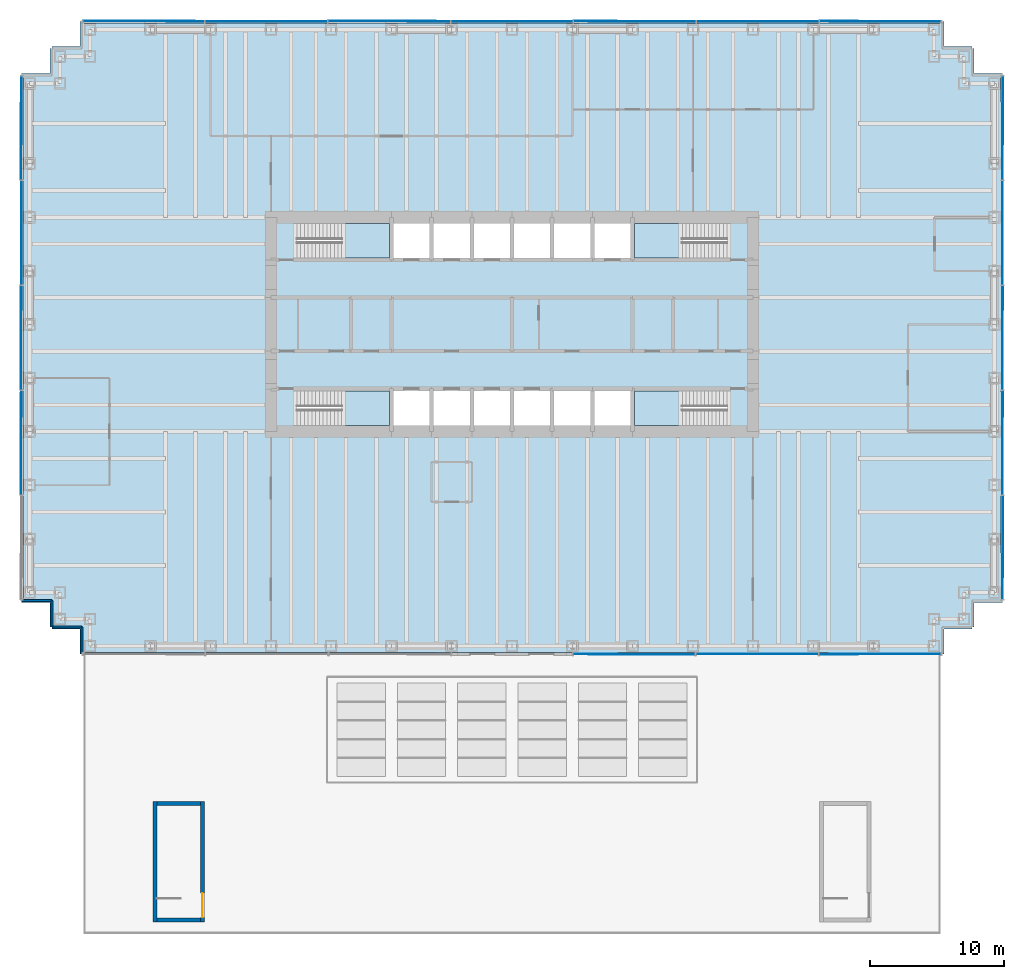
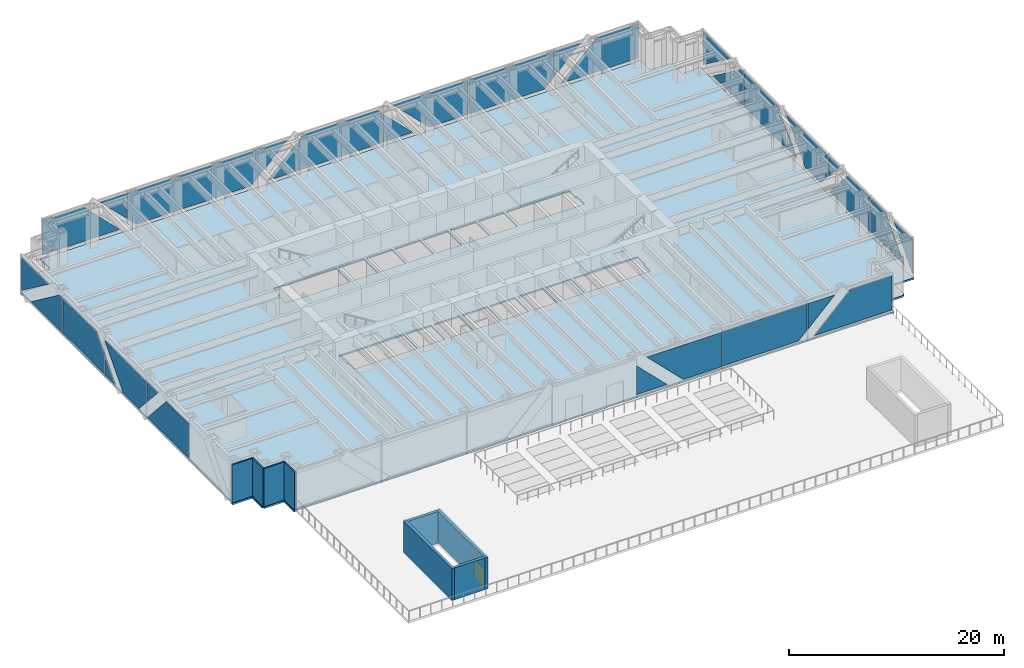
# One storey, part 10 of 15: 32 plates, 8 walls, 5 slabs, 1 door, 1 opening, 8 elements without a shape of their own.
"""IFC4 building model written with IfcOpenShell, lengths in metres."""

from ifc_helpers import new_model, si_unit, direction, frame, frame_2d, origin, place, context, subcontext, project, spatial, polyline, rectangle, outline, extrude, material, layer, layer_set, type_object, element, fill, aggregate, save


model = new_model("IFC4")

# Units and contexts
model_context = context("Model", 3, precision=1e-05, world=origin(), true_north=direction((0.0, 1.0)))
body_context = subcontext(model_context, "Body", "Model", "MODEL_VIEW")
ifc_project = project(units=[si_unit("LENGTHUNIT", "METRE"), si_unit("AREAUNIT", "SQUARE_METRE"), si_unit("VOLUMEUNIT", "CUBIC_METRE"), si_unit("PLANEANGLEUNIT", "RADIAN"), si_unit("MASSUNIT", "GRAM", prefix="KILO")], contexts=[model_context])

# Site, building, storey
site_placement = place(None, origin())
site = spatial("IfcSite", under=ifc_project, at=site_placement, CompositionType="ELEMENT")
building_placement = place(site_placement, origin())
building = spatial("IfcBuilding", under=site, at=building_placement, Name="Rheinbord Bourse Tower", CompositionType="ELEMENT")
storey_placement = place(building_placement, frame((0.0, 0.0, 23.0)))
storey = spatial("IfcBuildingStorey", under=building, at=storey_placement, Name="L04", CompositionType="ELEMENT", Elevation=23.0)

# Slab
ifc_material_1 = material(Name="Concrete C30/37", Category="concrete")
ifc_layer_1 = layer(ifc_material_1, 0.179931640625)
ifc_layer_set_1 = layer_set([ifc_layer_1], Name="COMPOSITE FLOOR SLAB 180")
slab_type_1 = type_object("IfcSlabType", Name="COMPOSITE FLOOR SLAB 180", PredefinedType="FLOOR", material=ifc_layer_set_1)
slab_1_placement = place(storey_placement, frame((0.0, 0.0, -0.179931640625)))
element("IfcSlab", 1, at=slab_1_placement, inside=storey, type_object=slab_type_1, Name="Floor slab L04", PredefinedType="FLOOR", context=body_context, shape_type="SweptSolid", body=[
    extrude(outline(polyline([(1.64990234375, 1.39990234375), (1.5, 1.39990234375), (1.5, 3.25), (-0.60009765625, 3.25), (-0.60009765625, 3.550048828125), (-0.5, 3.550048828125), (-0.5, 42.449951171875), (-0.60009765625, 42.449951171875), (-0.60009765625, 42.75), (1.5, 42.75), (1.5, 44.60009765625), (1.64990234375, 44.60009765625), (1.64990234375, 44.75), (3.75, 44.75), (3.75, 46.60009765625), (4.050048828125, 46.60009765625), (4.050048828125, 46.5), (67.949951171875, 46.5), (67.949951171875, 46.60009765625), (68.25, 46.60009765625), (68.25, 44.75), (70.35009765625, 44.75), (70.35009765625, 44.60009765625), (70.5, 44.60009765625), (70.5, 42.75), (72.60009765625, 42.75), (72.60009765625, 42.449951171875), (72.5, 42.449951171875), (72.5, 3.550048828125), (72.60009765625, 3.550048828125), (72.60009765625, 3.25), (70.5, 3.25), (70.5, 1.39990234375), (70.35009765625, 1.39990234375), (70.35009765625, 1.25), (68.25, 1.25), (68.25, -0.60009765625), (67.949951171875, -0.60009765625), (67.949951171875, -0.5), (4.050048828125, -0.5), (4.050048828125, -0.60009765625), (3.75, -0.60009765625), (3.75, 1.25), (1.64990234375, 1.25), (1.64990234375, 1.39990234375)]), holes=[polyline([(19.949951171875, 19.050048828125), (26.85009765625, 19.050048828125), (26.85009765625, 16.449951171875), (20.10009765625, 16.449951171875), (20.10009765625, 17.64990234375), (19.949951171875, 17.64990234375), (19.949951171875, 19.050048828125)]), polyline([(26.85009765625, 31.550048828125), (26.85009765625, 28.949951171875), (19.949951171875, 28.949951171875), (19.949951171875, 30.35009765625), (20.10009765625, 30.35009765625), (20.10009765625, 31.550048828125), (26.85009765625, 31.550048828125)]), polyline([(45.14990234375, 16.449951171875), (45.14990234375, 19.050048828125), (52.050048828125, 19.050048828125), (52.050048828125, 17.64990234375), (51.89990234375, 17.64990234375), (51.89990234375, 16.449951171875), (45.14990234375, 16.449951171875)]), polyline([(52.050048828125, 28.949951171875), (45.14990234375, 28.949951171875), (45.14990234375, 31.550048828125), (51.89990234375, 31.550048828125), (51.89990234375, 30.35009765625), (52.050048828125, 30.35009765625), (52.050048828125, 28.949951171875)]), polyline([(27.14990234375, 16.449951171875), (27.14990234375, 19.050048828125), (29.85009765625, 19.050048828125), (29.85009765625, 16.449951171875), (27.14990234375, 16.449951171875)]), polyline([(27.14990234375, 28.949951171875), (27.14990234375, 31.550048828125), (29.85009765625, 31.550048828125), (29.85009765625, 28.949951171875), (27.14990234375, 28.949951171875)]), polyline([(30.14990234375, 16.449951171875), (30.14990234375, 19.050048828125), (32.85009765625, 19.050048828125), (32.85009765625, 16.449951171875), (30.14990234375, 16.449951171875)]), polyline([(30.14990234375, 28.949951171875), (30.14990234375, 31.550048828125), (32.85009765625, 31.550048828125), (32.85009765625, 28.949951171875), (30.14990234375, 28.949951171875)]), polyline([(33.14990234375, 16.449951171875), (33.14990234375, 19.050048828125), (35.85009765625, 19.050048828125), (35.85009765625, 16.449951171875), (33.14990234375, 16.449951171875)]), polyline([(33.14990234375, 28.949951171875), (33.14990234375, 31.550048828125), (35.85009765625, 31.550048828125), (35.85009765625, 28.949951171875), (33.14990234375, 28.949951171875)]), polyline([(36.14990234375, 16.449951171875), (36.14990234375, 19.050048828125), (38.85009765625, 19.050048828125), (38.85009765625, 16.449951171875), (36.14990234375, 16.449951171875)]), polyline([(36.14990234375, 28.949951171875), (36.14990234375, 31.550048828125), (38.85009765625, 31.550048828125), (38.85009765625, 28.949951171875), (36.14990234375, 28.949951171875)]), polyline([(39.14990234375, 16.449951171875), (39.14990234375, 19.050048828125), (41.85009765625, 19.050048828125), (41.85009765625, 16.449951171875), (39.14990234375, 16.449951171875)]), polyline([(39.14990234375, 28.949951171875), (39.14990234375, 31.550048828125), (41.85009765625, 31.550048828125), (41.85009765625, 28.949951171875), (39.14990234375, 28.949951171875)]), polyline([(42.14990234375, 16.449951171875), (42.14990234375, 19.050048828125), (44.85009765625, 19.050048828125), (44.85009765625, 16.449951171875), (42.14990234375, 16.449951171875)]), polyline([(42.14990234375, 28.949951171875), (42.14990234375, 31.550048828125), (44.85009765625, 31.550048828125), (44.85009765625, 28.949951171875), (42.14990234375, 28.949951171875)])]), origin(), (0.0, 0.0, 1.0), 0.179931640625),
])

# Curtain wall, plates
ifc_material_2 = material(Name="Dark glass and black aluminium", Category="aluminium")
curtain_wall_type = type_object("IfcCurtainWallType", Name="CW1 DARK GLASS CURTAIN WALL", PredefinedType="USERDEFINED", material=ifc_material_2)
curtain_wall_1_placement = place(storey_placement, origin())
curtain_wall_1 = element("IfcCurtainWall", 2, at=curtain_wall_1_placement, inside=storey, type_object=curtain_wall_type, Name="Curtain wall CW1 S L04", ObjectType="UNITISED CURTAIN WALL", PredefinedType="USERDEFINED")
ifc_material_3 = material(Name="Dark tinted triple insulating glass", Category="glass")
ifc_layer_2 = layer(ifc_material_3, 0.0439453125)
ifc_layer_set_2 = layer_set([ifc_layer_2], Name="CW1 DARK GLASS PANEL")
plate_type = type_object("IfcPlateType", Name="CW1 DARK GLASS PANEL", PredefinedType="CURTAIN_PANEL", material=ifc_layer_set_2)
plate_1_placement = place(storey_placement, frame((40.580078125, -0.6220703125, 0.300048828125), z_axis=(0.0, 1.0, 0.0), x_axis=(0.0, 0.0, 1.0)))
plate_1 = element("IfcPlate", 3, at=plate_1_placement, type_object=plate_type, Name="CW1 glass facet 1", PredefinedType="CURTAIN_PANEL", context=body_context, shape_type="SweptSolid", body=[
    extrude(outline(polyline([(0.0, 0.0), (3.263916015625, 0.0), (0.0, 3.263916015625), (0.0, 0.0)])), origin(), (0.0, 0.0, 1.0), 0.0439453125),
])
plate_2_placement = place(storey_placement, frame((49.659912109375, -0.6708984375, 4.199951171875), z_axis=(0.0, 1.0, 0.0), x_axis=(0.0, 0.0, -1.0)))
plate_2 = element("IfcPlate", 4, at=plate_2_placement, type_object=plate_type, Name="CW1 glass facet 2", PredefinedType="CURTAIN_PANEL", context=body_context, shape_type="SweptSolid", body=[
    extrude(outline(polyline([(0.0, 0.0), (3.89990234375, 0.0), (3.89990234375, 4.10400390625), (0.0, 8.00390625), (0.0, 0.0)])), origin(), (0.0, 0.0, 1.0), 0.0439453125),
])
plate_3_placement = place(storey_placement, frame((49.739990234375, -0.6220703125, 0.300048828125), z_axis=(0.0, 1.0, 0.0), x_axis=(0.0, 0.0, 1.0)))
plate_3 = element("IfcPlate", 5, at=plate_3_placement, type_object=plate_type, Name="CW1 glass facet 1", PredefinedType="CURTAIN_PANEL", context=body_context, shape_type="SweptSolid", body=[
    extrude(outline(polyline([(0.0, 0.0), (3.89990234375, 0.0), (3.89990234375, 9.1201171875), (0.916015625, 9.1201171875), (0.0, 8.2041015625), (0.0, 0.0)])), origin(), (0.0, 0.0, 1.0), 0.0439453125),
])
plate_4_placement = place(storey_placement, frame((58.93994140625, -0.6708984375, 4.199951171875), z_axis=(0.0, 1.0, 0.0), x_axis=(1.0, 0.0, 0.0)))
plate_4 = element("IfcPlate", 6, at=plate_4_placement, type_object=plate_type, Name="CW1 glass facet 1", PredefinedType="CURTAIN_PANEL", context=body_context, shape_type="SweptSolid", body=[
    extrude(outline(polyline([(0.0, 0.0), (2.904052734375, 0.0), (0.0, 2.904052734375), (0.0, 0.0)])), origin(), (0.0, 0.0, 1.0), 0.0439453125),
])
plate_5_placement = place(storey_placement, frame((68.02001953125, -0.6220703125, 4.199951171875), z_axis=(0.0, 1.0, 0.0), x_axis=(0.0, 0.0, -1.0)))
plate_5 = element("IfcPlate", 7, at=plate_5_placement, type_object=plate_type, Name="CW1 glass facet 2", PredefinedType="CURTAIN_PANEL", context=body_context, shape_type="SweptSolid", body=[
    extrude(outline(polyline([(0.0, 0.0), (3.89990234375, 0.0), (3.89990234375, 8.364013671875), (0.0, 4.464111328125), (0.0, 0.0)])), origin(), (0.0, 0.0, 1.0), 0.0439453125),
])
aggregate(curtain_wall_1, [plate_1, plate_2, plate_3, plate_4, plate_5])

curtain_wall_2_placement = place(storey_placement, origin())
curtain_wall_2 = element("IfcCurtainWall", 8, at=curtain_wall_2_placement, inside=storey, type_object=curtain_wall_type, Name="Curtain wall CW1 E L04", ObjectType="UNITISED CURTAIN WALL", PredefinedType="USERDEFINED")
plate_6_placement = place(storey_placement, frame((72.6220703125, 3.47998046875, 4.199951171875), z_axis=(-1.0, 0.0, 0.0), x_axis=(0.0, 1.0, 0.0)))
plate_6 = element("IfcPlate", 9, at=plate_6_placement, type_object=plate_type, Name="CW1 glass facet 1", PredefinedType="CURTAIN_PANEL", context=body_context, shape_type="SweptSolid", body=[
    extrude(outline(polyline([(0.0, 0.0), (3.444091796875, 0.0), (0.0, 3.8740234375), (0.0, 0.0)])), origin(), (0.0, 0.0, 1.0), 0.0439453125),
])
plate_7_placement = place(storey_placement, frame((72.6708984375, 11.199951171875, 4.199951171875), z_axis=(-1.0, 0.0, 0.0), x_axis=(0.0, 0.0, -1.0)))
plate_7 = element("IfcPlate", 10, at=plate_7_placement, type_object=plate_type, Name="CW1 glass facet 2", PredefinedType="CURTAIN_PANEL", context=body_context, shape_type="SweptSolid", body=[
    extrude(outline(polyline([(0.0, 0.0), (3.89990234375, 0.0), (3.89990234375, 6.1240234375), (0.0, 2.656982421875), (0.0, 0.0)])), origin(), (0.0, 0.0, 1.0), 0.0439453125),
])
plate_8_placement = place(storey_placement, frame((72.6220703125, 11.280029296875, 0.300048828125), z_axis=(-1.0, 0.0, 0.0), x_axis=(0.0, 0.0, 1.0)))
plate_8 = element("IfcPlate", 11, at=plate_8_placement, type_object=plate_type, Name="CW1 glass facet 1", PredefinedType="CURTAIN_PANEL", context=body_context, shape_type="SweptSolid", body=[
    extrude(outline(polyline([(0.0, 0.0), (3.89990234375, 0.0), (3.89990234375, 4.177001953125), (0.0, 7.64404296875), (0.0, 0.0)])), origin(), (0.0, 0.0, 1.0), 0.0439453125),
])
plate_9_placement = place(storey_placement, frame((72.6708984375, 19.0400390625, 4.199951171875), z_axis=(-1.0, 0.0, 0.0), x_axis=(0.0, 0.0, -1.0)))
plate_9 = element("IfcPlate", 12, at=plate_9_placement, type_object=plate_type, Name="CW1 glass facet 2", PredefinedType="CURTAIN_PANEL", context=body_context, shape_type="SweptSolid", body=[
    extrude(outline(polyline([(0.0, 0.0), (2.208984375, 0.0), (0.0, 1.964111328125), (0.0, 0.0)])), origin(), (0.0, 0.0, 1.0), 0.0439453125),
])
plate_10_placement = place(storey_placement, frame((72.6220703125, 20.54296875, 0.300048828125), z_axis=(-1.0, 0.0, 0.0), x_axis=(0.0, -0.664335537311, 0.74743447463)))
plate_10 = element("IfcPlate", 13, at=plate_10_placement, type_object=plate_type, Name="CW1 glass facet 1", PredefinedType="CURTAIN_PANEL", context=body_context, shape_type="SweptSolid", body=[
    extrude(outline(polyline([(0.0, 0.0), (2.141845703125, 0.0), (3.860107421875, 1.52734375), (-1.294921875, 7.327392578125), (-1.33154296875, 7.294677734375), (-1.93603515625, 2.177978515625), (0.0, 0.0)])), origin(), (0.0, 0.0, 1.0), 0.0439453125),
])
plate_11_placement = place(storey_placement, frame((72.6708984375, 26.8798828125, 0.300048828125), z_axis=(-1.0, 0.0, 0.0), x_axis=(0.0, -1.0, 0.0)))
plate_11 = element("IfcPlate", 14, at=plate_11_placement, type_object=plate_type, Name="CW1 glass facet 2", PredefinedType="CURTAIN_PANEL", context=body_context, shape_type="SweptSolid", body=[
    extrude(outline(polyline([(0.0, 0.0), (1.803955078125, 0.0), (0.0, 2.029052734375), (0.0, 0.0)])), origin(), (0.0, 0.0, 1.0), 0.0439453125),
])
plate_12_placement = place(storey_placement, frame((72.6220703125, 34.719970703125, 4.199951171875), z_axis=(-1.0, 0.0, 0.0), x_axis=(0.0, 0.0, -1.0)))
plate_12 = element("IfcPlate", 15, at=plate_12_placement, type_object=plate_type, Name="CW1 glass facet 1", PredefinedType="CURTAIN_PANEL", context=body_context, shape_type="SweptSolid", body=[
    extrude(outline(polyline([(0.0, 0.0), (3.89990234375, 0.0), (3.89990234375, 7.760009765625), (1.781005859375, 7.760009765625), (0.0, 6.177001953125), (0.0, 0.0)])), origin(), (0.0, 0.0, 1.0), 0.0439453125),
])
plate_13_placement = place(storey_placement, frame((72.6220703125, 34.800048828125, 0.300048828125), z_axis=(-1.0, 0.0, 0.0), x_axis=(0.0, 0.0, 1.0)))
plate_13 = element("IfcPlate", 16, at=plate_13_placement, type_object=plate_type, Name="CW1 glass facet 1", PredefinedType="CURTAIN_PANEL", context=body_context, shape_type="SweptSolid", body=[
    extrude(outline(polyline([(0.0, 0.0), (3.89990234375, 0.0), (3.89990234375, 0.592041015625), (0.0, 5.7919921875), (0.0, 0.0)])), origin(), (0.0, 0.0, 1.0), 0.0439453125),
])
plate_14_placement = place(storey_placement, frame((72.6708984375, 42.52001953125, 4.199951171875), z_axis=(-1.0, 0.0, 0.0), x_axis=(0.0, 0.0, -1.0)))
plate_14 = element("IfcPlate", 17, at=plate_14_placement, type_object=plate_type, Name="CW1 glass facet 2", PredefinedType="CURTAIN_PANEL", context=body_context, shape_type="SweptSolid", body=[
    extrude(outline(polyline([(0.0, 0.0), (3.833984375, 0.0), (0.0, 5.112060546875), (0.0, 0.0)])), origin(), (0.0, 0.0, 1.0), 0.0439453125),
])
aggregate(curtain_wall_2, [plate_6, plate_7, plate_8, plate_9, plate_10, plate_11, plate_12, plate_13, plate_14])

curtain_wall_3_placement = place(storey_placement, origin())
curtain_wall_3 = element("IfcCurtainWall", 18, at=curtain_wall_3_placement, inside=storey, type_object=curtain_wall_type, Name="Curtain wall CW1 N L04", ObjectType="UNITISED CURTAIN WALL", PredefinedType="USERDEFINED")
plate_15_placement = place(storey_placement, frame((68.02001953125, 46.6220703125, 0.300048828125), z_axis=(0.0, -1.0, 0.0), x_axis=(0.0, 0.0, 1.0)))
plate_15 = element("IfcPlate", 19, at=plate_15_placement, type_object=plate_type, Name="CW1 glass facet 1", PredefinedType="CURTAIN_PANEL", context=body_context, shape_type="SweptSolid", body=[
    extrude(outline(polyline([(0.0, 0.0), (3.89990234375, 0.0), (3.89990234375, 4.464111328125), (0.0, 8.364013671875), (0.0, 0.0)])), origin(), (0.0, 0.0, 1.0), 0.0439453125),
])
plate_16_placement = place(storey_placement, frame((58.968994140625, 46.6708984375, 4.199951171875), z_axis=(0.0, -1.0, 0.0), x_axis=(0.0, 0.0, -1.0)))
plate_16 = element("IfcPlate", 20, at=plate_16_placement, type_object=plate_type, Name="CW1 glass facet 2", PredefinedType="CURTAIN_PANEL", context=body_context, shape_type="SweptSolid", body=[
    extrude(outline(polyline([(0.0, 0.0), (2.8759765625, 0.0), (0.0, 2.875), (0.0, 0.0)])), origin(), (0.0, 0.0, 1.0), 0.0439453125),
])
plate_17_placement = place(storey_placement, frame((58.888916015625, 46.6220703125, 4.199951171875), z_axis=(0.0, -1.0, 0.0), x_axis=(-1.0, 0.0, 0.0)))
plate_17 = element("IfcPlate", 21, at=plate_17_placement, type_object=plate_type, Name="CW1 glass facet 1", PredefinedType="CURTAIN_PANEL", context=body_context, shape_type="SweptSolid", body=[
    extrude(outline(polyline([(0.0, 0.0), (9.091796875, 0.0), (9.091796875, 3.89990234375), (0.94482421875, 3.89990234375), (0.0, 2.9560546875), (0.0, 0.0)])), origin(), (0.0, 0.0, 1.0), 0.0439453125),
])
plate_18_placement = place(storey_placement, frame((49.717041015625, 46.6220703125, 0.300048828125), z_axis=(0.0, -1.0, 0.0), x_axis=(0.0, 0.0, 1.0)))
plate_18 = element("IfcPlate", 22, at=plate_18_placement, type_object=plate_type, Name="CW1 glass facet 1", PredefinedType="CURTAIN_PANEL", context=body_context, shape_type="SweptSolid", body=[
    extrude(outline(polyline([(0.0, 0.0), (3.89990234375, 0.0), (3.89990234375, 8.06103515625), (0.0, 4.1611328125), (0.0, 0.0)])), origin(), (0.0, 0.0, 1.0), 0.0439453125),
])
plate_19_placement = place(storey_placement, frame((40.6259765625, 46.6708984375, 0.300048828125), z_axis=(0.0, -1.0, 0.0), x_axis=(1.0, 0.0, 0.0)))
plate_19 = element("IfcPlate", 23, at=plate_19_placement, type_object=plate_type, Name="CW1 glass facet 2", PredefinedType="CURTAIN_PANEL", context=body_context, shape_type="SweptSolid", body=[
    extrude(outline(polyline([(0.0, 0.0), (3.218017578125, 0.0), (0.0, 3.218994140625), (0.0, 0.0)])), origin(), (0.0, 0.0, 1.0), 0.0439453125),
])
plate_20_placement = place(storey_placement, frame((31.4541015625, 46.6220703125, 0.300048828125), z_axis=(0.0, -1.0, 0.0), x_axis=(1.0, 0.0, 0.0)))
plate_20 = element("IfcPlate", 24, at=plate_20_placement, type_object=plate_type, Name="CW1 glass facet 1", PredefinedType="CURTAIN_PANEL", context=body_context, shape_type="SweptSolid", body=[
    extrude(outline(polyline([(0.0, 0.0), (9.091796875, 0.0), (9.091796875, 3.299072265625), (8.489990234375, 3.89990234375), (0.601806640625, 3.89990234375), (0.0, 3.299072265625), (0.0, 0.0)])), origin(), (0.0, 0.0, 1.0), 0.0439453125),
])
plate_21_placement = place(storey_placement, frame((31.3740234375, 46.6220703125, 0.300048828125), z_axis=(0.0, -1.0, 0.0), x_axis=(0.0, 0.0, 1.0)))
plate_21 = element("IfcPlate", 25, at=plate_21_placement, type_object=plate_type, Name="CW1 glass facet 1", PredefinedType="CURTAIN_PANEL", context=body_context, shape_type="SweptSolid", body=[
    extrude(outline(polyline([(0.0, 0.0), (3.218994140625, 0.0), (0.0, 3.218017578125), (0.0, 0.0)])), origin(), (0.0, 0.0, 1.0), 0.0439453125),
])
plate_22_placement = place(storey_placement, frame((22.282958984375, 46.6708984375, 4.199951171875), z_axis=(0.0, -1.0, 0.0), x_axis=(0.0, 0.0, -1.0)))
plate_22 = element("IfcPlate", 26, at=plate_22_placement, type_object=plate_type, Name="CW1 glass facet 2", PredefinedType="CURTAIN_PANEL", context=body_context, shape_type="SweptSolid", body=[
    extrude(outline(polyline([(0.0, 0.0), (3.89990234375, 0.0), (3.89990234375, 4.1611328125), (0.0, 8.06103515625), (0.0, 0.0)])), origin(), (0.0, 0.0, 1.0), 0.0439453125),
])
plate_23_placement = place(storey_placement, frame((22.202880859375, 46.6220703125, 0.300048828125), z_axis=(0.0, -1.0, 0.0), x_axis=(0.0, 0.0, 1.0)))
plate_23 = element("IfcPlate", 27, at=plate_23_placement, type_object=plate_type, Name="CW1 glass facet 1", PredefinedType="CURTAIN_PANEL", context=body_context, shape_type="SweptSolid", body=[
    extrude(outline(polyline([(0.0, 0.0), (3.89990234375, 0.0), (3.89990234375, 9.091796875), (0.94384765625, 9.091796875), (0.0, 8.14697265625), (0.0, 0.0)])), origin(), (0.0, 0.0, 1.0), 0.0439453125),
])
plate_24_placement = place(storey_placement, frame((13.031005859375, 46.6220703125, 4.199951171875), z_axis=(0.0, -1.0, 0.0), x_axis=(-1.0, 0.0, 0.0)))
plate_24 = element("IfcPlate", 28, at=plate_24_placement, type_object=plate_type, Name="CW1 glass facet 1", PredefinedType="CURTAIN_PANEL", context=body_context, shape_type="SweptSolid", body=[
    extrude(outline(polyline([(0.0, 0.0), (2.875, 0.0), (0.0, 2.8759765625), (0.0, 0.0)])), origin(), (0.0, 0.0, 1.0), 0.0439453125),
])
plate_25_placement = place(storey_placement, frame((3.97998046875, 46.6708984375, 4.199951171875), z_axis=(0.0, -1.0, 0.0), x_axis=(0.0, 0.0, -1.0)))
plate_25 = element("IfcPlate", 29, at=plate_25_placement, type_object=plate_type, Name="CW1 glass facet 2", PredefinedType="CURTAIN_PANEL", context=body_context, shape_type="SweptSolid", body=[
    extrude(outline(polyline([(0.0, 0.0), (3.89990234375, 0.0), (3.89990234375, 8.364013671875), (0.0, 4.464111328125), (0.0, 0.0)])), origin(), (0.0, 0.0, 1.0), 0.0439453125),
])
aggregate(curtain_wall_3, [plate_15, plate_16, plate_17, plate_18, plate_19, plate_20, plate_21, plate_22, plate_23, plate_24, plate_25])

curtain_wall_4_placement = place(storey_placement, origin())
curtain_wall_4 = element("IfcCurtainWall", 30, at=curtain_wall_4_placement, inside=storey, type_object=curtain_wall_type, Name="Curtain wall CW1 W L04", ObjectType="UNITISED CURTAIN WALL", PredefinedType="USERDEFINED")
plate_26_placement = place(storey_placement, frame((-0.6220703125, 42.52001953125, 4.199951171875), z_axis=(1.0, 0.0, 0.0), x_axis=(0.0, -1.0, 0.0)))
plate_26 = element("IfcPlate", 31, at=plate_26_placement, type_object=plate_type, Name="CW1 glass facet 1", PredefinedType="CURTAIN_PANEL", context=body_context, shape_type="SweptSolid", body=[
    extrude(outline(polyline([(0.0, 0.0), (5.112060546875, 0.0), (0.0, 3.833984375), (0.0, 0.0)])), origin(), (0.0, 0.0, 1.0), 0.0439453125),
])
plate_27_placement = place(storey_placement, frame((-0.6708984375, 34.800048828125, 4.199951171875), z_axis=(1.0, 0.0, 0.0), x_axis=(0.0, 0.0, -1.0)))
plate_27 = element("IfcPlate", 32, at=plate_27_placement, type_object=plate_type, Name="CW1 glass facet 2", PredefinedType="CURTAIN_PANEL", context=body_context, shape_type="SweptSolid", body=[
    extrude(outline(polyline([(0.0, 0.0), (3.89990234375, 0.0), (3.89990234375, 5.7919921875), (0.0, 0.592041015625), (0.0, 0.0)])), origin(), (0.0, 0.0, 1.0), 0.0439453125),
])
plate_28_placement = place(storey_placement, frame((-0.6220703125, 26.9599609375, 0.300048828125), z_axis=(1.0, 0.0, 0.0), x_axis=(0.0, 1.0, 0.0)))
plate_28 = element("IfcPlate", 33, at=plate_28_placement, type_object=plate_type, Name="CW1 glass facet 1", PredefinedType="CURTAIN_PANEL", context=body_context, shape_type="SweptSolid", body=[
    extrude(outline(polyline([(0.0, 0.0), (7.760009765625, 0.0), (7.760009765625, 3.89990234375), (1.5830078125, 3.89990234375), (0.0, 2.118896484375), (0.0, 0.0)])), origin(), (0.0, 0.0, 1.0), 0.0439453125),
])
plate_29_placement = place(storey_placement, frame((-0.6220703125, 26.8798828125, 0.300048828125), z_axis=(1.0, 0.0, 0.0), x_axis=(0.0, 0.0, 1.0)))
plate_29 = element("IfcPlate", 34, at=plate_29_placement, type_object=plate_type, Name="CW1 glass facet 1", PredefinedType="CURTAIN_PANEL", context=body_context, shape_type="SweptSolid", body=[
    extrude(outline(polyline([(0.0, 0.0), (2.029052734375, 0.0), (0.0, 1.803955078125), (0.0, 0.0)])), origin(), (0.0, 0.0, 1.0), 0.0439453125),
])
plate_30_placement = place(storey_placement, frame((-0.6708984375, 23.45703125, 0.300048828125), z_axis=(1.0, 0.0, 0.0), x_axis=(0.0, 0.664352073941, 0.747419776197)))
plate_30 = element("IfcPlate", 35, at=plate_30_placement, type_object=plate_type, Name="CW1 glass facet 2", PredefinedType="CURTAIN_PANEL", context=body_context, shape_type="SweptSolid", body=[
    extrude(outline(polyline([(0.0, 0.0), (5.152099609375, 0.0), (5.188720703125, 0.03271484375), (0.03369140625, 5.83251953125), (-1.684814453125, 4.304931640625), (-1.93603515625, 2.177978515625), (0.0, 0.0)])), origin(), (0.0, 0.0, 1.0), 0.0439453125),
])
plate_31_placement = place(storey_placement, frame((-0.6220703125, 19.0400390625, 4.199951171875), z_axis=(1.0, 0.0, 0.0), x_axis=(0.0, -1.0, 0.0)))
plate_31 = element("IfcPlate", 36, at=plate_31_placement, type_object=plate_type, Name="CW1 glass facet 1", PredefinedType="CURTAIN_PANEL", context=body_context, shape_type="SweptSolid", body=[
    extrude(outline(polyline([(0.0, 0.0), (1.964111328125, 0.0), (0.0, 2.208984375), (0.0, 0.0)])), origin(), (0.0, 0.0, 1.0), 0.0439453125),
])
plate_32_placement = place(storey_placement, frame((-0.6708984375, 11.280029296875, 4.199951171875), z_axis=(1.0, 0.0, 0.0), x_axis=(0.0, 0.0, -1.0)))
plate_32 = element("IfcPlate", 37, at=plate_32_placement, type_object=plate_type, Name="CW1 glass facet 2", PredefinedType="CURTAIN_PANEL", context=body_context, shape_type="SweptSolid", body=[
    extrude(outline(polyline([(0.0, 0.0), (3.89990234375, 0.0), (3.89990234375, 7.64404296875), (0.0, 4.177001953125), (0.0, 0.0)])), origin(), (0.0, 0.0, 1.0), 0.0439453125),
])
aggregate(curtain_wall_4, [plate_26, plate_27, plate_28, plate_29, plate_30, plate_31, plate_32])

# Stair, slab
ifc_material_4 = material(Name="Concrete C30/37", Category="concrete")
stair_type = type_object("IfcStairType", Name="CORE STAIR HALF TURN 4500", PredefinedType="HALF_TURN_STAIR", material=ifc_material_4)
stair_1_placement = place(storey_placement, origin())
stair_1 = element("IfcStair", 38, at=stair_1_placement, inside=storey, type_object=stair_type, Name="Stair ST1 L04, type CS4", PredefinedType="HALF_TURN_STAIR")
ifc_material_5 = material(Name="Concrete C30/37", Category="concrete")
ifc_layer_3 = layer(ifc_material_5, 0.199951171875)
ifc_layer_set_3 = layer_set([ifc_layer_3], Name="STAIR LANDING 200")
slab_type_2 = type_object("IfcSlabType", Name="STAIR LANDING 200", PredefinedType="LANDING", material=ifc_layer_set_3)
slab_2_placement = place(storey_placement, frame((0.0, 0.0, 2.050048828125)))
slab_2 = element("IfcSlab", 39, at=slab_2_placement, type_object=slab_type_2, Name="Half landing ST1 L04", PredefinedType="LANDING", context=body_context, shape_type="SweptSolid", body=[
    extrude(outline(polyline([(23.31005859375, 16.449951171875), (26.85009765625, 16.449951171875), (26.85009765625, 19.050048828125), (21.916015625, 19.050048828125), (21.916015625, 17.85009765625), (23.31005859375, 17.85009765625), (23.31005859375, 16.449951171875)])), origin(), (0.0, 0.0, 1.0), 0.199951171875),
])
aggregate(stair_1, [slab_2])

stair_2_placement = place(storey_placement, origin())
stair_2 = element("IfcStair", 40, at=stair_2_placement, inside=storey, type_object=stair_type, Name="Stair ST2 L04, type CS4", PredefinedType="HALF_TURN_STAIR")
slab_3_placement = place(storey_placement, frame((0.0, 0.0, 2.050048828125)))
slab_3 = element("IfcSlab", 41, at=slab_3_placement, type_object=slab_type_2, Name="Half landing ST2 L04", PredefinedType="LANDING", context=body_context, shape_type="SweptSolid", body=[
    extrude(outline(polyline([(21.916015625, 28.949951171875), (26.85009765625, 28.949951171875), (26.85009765625, 31.550048828125), (23.31005859375, 31.550048828125), (23.31005859375, 30.14990234375), (21.916015625, 30.14990234375), (21.916015625, 28.949951171875)])), origin(), (0.0, 0.0, 1.0), 0.199951171875),
])
aggregate(stair_2, [slab_3])

stair_3_placement = place(storey_placement, origin())
stair_3 = element("IfcStair", 42, at=stair_3_placement, inside=storey, type_object=stair_type, Name="Stair ST3 L04, type CS4", PredefinedType="HALF_TURN_STAIR")
slab_4_placement = place(storey_placement, frame((0.0, 0.0, 2.050048828125)))
slab_4 = element("IfcSlab", 43, at=slab_4_placement, type_object=slab_type_2, Name="Half landing ST3 L04", PredefinedType="LANDING", context=body_context, shape_type="SweptSolid", body=[
    extrude(outline(polyline([(45.14990234375, 16.449951171875), (48.68994140625, 16.449951171875), (48.68994140625, 17.85009765625), (50.083984375, 17.85009765625), (50.083984375, 19.050048828125), (45.14990234375, 19.050048828125), (45.14990234375, 16.449951171875)])), origin(), (0.0, 0.0, 1.0), 0.199951171875),
])
aggregate(stair_3, [slab_4])

stair_4_placement = place(storey_placement, origin())
stair_4 = element("IfcStair", 44, at=stair_4_placement, inside=storey, type_object=stair_type, Name="Stair ST4 L04, type CS4", PredefinedType="HALF_TURN_STAIR")
slab_5_placement = place(storey_placement, frame((0.0, 0.0, 2.050048828125)))
slab_5 = element("IfcSlab", 45, at=slab_5_placement, type_object=slab_type_2, Name="Half landing ST4 L04", PredefinedType="LANDING", context=body_context, shape_type="SweptSolid", body=[
    extrude(outline(polyline([(45.14990234375, 28.949951171875), (50.083984375, 28.949951171875), (50.083984375, 30.14990234375), (48.68994140625, 30.14990234375), (48.68994140625, 31.550048828125), (45.14990234375, 31.550048828125), (45.14990234375, 28.949951171875)])), origin(), (0.0, 0.0, 1.0), 0.199951171875),
])
aggregate(stair_4, [slab_5])

# Walls
ifc_material_6 = material(Name="Black metal rainscreen panel", Category="aluminium")
ifc_layer_4 = layer(ifc_material_6, 0.14990234375)
ifc_layer_set_4 = layer_set([ifc_layer_4], Name="CORNER PIER CLADDING 150")
wall_type_1 = type_object("IfcWallType", Name="CORNER PIER CLADDING 150", PredefinedType="ELEMENTEDWALL", material=ifc_layer_set_4)
wall_1_placement = place(storey_placement, frame((-0.60009765625, 3.39990234375, 0.0), z_axis=(0.0, 0.0, 1.0), x_axis=(1.0, 0.0, 0.0)))
element("IfcWall", 46, at=wall_1_placement, inside=storey, type_object=wall_type_1, Name="Corner pier cladding L04 19", PredefinedType="ELEMENTEDWALL", context=body_context, shape_type="SweptSolid", body=[
    extrude(rectangle(XDim=2.25, YDim=0.14990234375, at=frame_2d((1.125, 0.0))), origin(), (0.0, 0.0, 1.0), 4.320068359375),
])
wall_2_placement = place(storey_placement, frame((1.64990234375, 3.39990234375, 0.0), z_axis=(0.0, 0.0, 1.0), x_axis=(0.0, -1.0, 0.0)))
element("IfcWall", 47, at=wall_2_placement, inside=storey, type_object=wall_type_1, Name="Corner pier cladding L04 20", PredefinedType="ELEMENTEDWALL", context=body_context, shape_type="SweptSolid", body=[
    extrude(rectangle(XDim=2.0, YDim=0.14990234375, at=frame_2d((1.0, 0.0))), origin(), (0.0, 0.0, 1.0), 4.320068359375),
])
wall_3_placement = place(storey_placement, frame((1.64990234375, 1.39990234375, 0.0), z_axis=(0.0, 0.0, 1.0), x_axis=(1.0, 0.0, 0.0)))
element("IfcWall", 48, at=wall_3_placement, inside=storey, type_object=wall_type_1, Name="Corner pier cladding L04 21", PredefinedType="ELEMENTEDWALL", context=body_context, shape_type="SweptSolid", body=[
    extrude(rectangle(XDim=2.25, YDim=0.14990234375, at=frame_2d((1.125, 0.0))), origin(), (0.0, 0.0, 1.0), 4.320068359375),
])
wall_4_placement = place(storey_placement, frame((3.89990234375, 1.39990234375, 0.0), z_axis=(0.0, 0.0, 1.0), x_axis=(0.0, -1.0, 0.0)))
element("IfcWall", 49, at=wall_4_placement, inside=storey, type_object=wall_type_1, Name="Corner pier cladding L04 22", PredefinedType="ELEMENTEDWALL", context=body_context, shape_type="SweptSolid", body=[
    extrude(rectangle(XDim=2.0, YDim=0.14990234375, at=frame_2d((1.0, 0.0))), origin(), (0.0, 0.0, 1.0), 4.320068359375),
])
ifc_material_7 = material(Name="Concrete C50/60", Category="concrete")
ifc_layer_5 = layer(ifc_material_7, 0.300048828125)
ifc_layer_set_5 = layer_set([ifc_layer_5], Name="PODIUM STAIR WALL 300")
wall_type_2 = type_object("IfcWallType", Name="PODIUM STAIR WALL 300", PredefinedType="SOLIDWALL", material=ifc_layer_set_5)
wall_5_placement = place(storey_placement, frame((9.35009765625, -20.60009765625, 0.0), z_axis=(0.0, 0.0, 1.0), x_axis=(0.0, 1.0, 0.0)))
element("IfcWall", 50, at=wall_5_placement, inside=storey, type_object=wall_type_2, Name="Stair wall ST5 W L04", PredefinedType="SOLIDWALL", context=body_context, shape_type="SweptSolid", body=[
    extrude(rectangle(XDim=9.0, YDim=0.300048828125, at=frame_2d((4.5, 0.0))), origin(), (0.0, 0.0, 1.0), 3.60009765625),
])

# Wall, opening, door
wall_6_placement = place(storey_placement, frame((12.89990234375, -20.60009765625, 0.0), z_axis=(0.0, 0.0, 1.0), x_axis=(0.0, 1.0, 0.0)))
wall_6 = element("IfcWall", 51, at=wall_6_placement, inside=storey, type_object=wall_type_2, Name="Stair wall ST5 E L04", PredefinedType="SOLIDWALL", context=body_context, shape_type="SweptSolid", body=[
    extrude(rectangle(XDim=9.0, YDim=0.300048828125, at=frame_2d((4.5, 0.0))), origin(), (0.0, 0.0, 1.0), 3.60009765625),
])
opening_placement = place(wall_6_placement, frame((0.35009765625, 0.0, 0.0)))
opening = element("IfcOpeningElement", 52, at=opening_placement, cuts=wall_6, Name="Opening 0451", PredefinedType="OPENING", context=body_context, shape_type="SweptSolid", body=[
    extrude(rectangle(XDim=1.800048828125, YDim=2.10009765625, at=frame_2d((0.89990234375, 1.050048828125))), frame((0.0, 0.159912109375, 0.0), z_axis=(0.0, -1.0, 0.0), x_axis=(1.0, 0.0, 0.0)), (0.0, 0.0, 1.0), 0.320068359375),
])
ifc_material_8 = material(Name="Steel door", Category="steel")
door_type = type_object("IfcDoorType", Name="DOOR 1800 EI30 DOUBLE", OperationType="DOUBLE_DOOR_DOUBLE_SWING", PredefinedType="DOOR", material=ifc_material_8)
door_placement = place(opening_placement, origin())
door = element("IfcDoor", 53, at=door_placement, inside=storey, type_object=door_type, Name="Stair door ST5 L04", OperationType="SINGLE_SWING_LEFT", OverallHeight=2.10009765625, OverallWidth=1.800048828125, PredefinedType="DOOR", context=body_context, shape_type="SweptSolid", body=[
    extrude(rectangle(XDim=1.800048828125, YDim=2.10009765625, at=frame_2d((0.89990234375, 1.050048828125))), frame((0.0, 0.02490234375, 0.0), z_axis=(0.0, -1.0, 0.0), x_axis=(1.0, 0.0, 0.0)), (0.0, 0.0, 1.0), 0.050048828125),
])
fill(opening, door)

# Walls
for number, where, z_axis, x_axis, name in (
    (54, (9.5, -20.449951171875, 0.0), (0.0, 0.0, 1.0), (1.0, 0.0, 0.0), "Stair wall ST5 S L04"),
    (55, (9.5, -11.75, 0.0), (0.0, 0.0, 1.0), (1.0, 0.0, 0.0), "Stair wall ST5 N L04"),
):
    element("IfcWall", number, at=place(storey_placement, frame(where, z_axis=z_axis, x_axis=x_axis)), inside=storey, type_object=wall_type_2, Name=name, PredefinedType="SOLIDWALL", context=body_context, shape_type="SweptSolid", body=[
        extrude(rectangle(XDim=3.25, YDim=0.300048828125, at=frame_2d((1.625, 0.0))), origin(), (0.0, 0.0, 1.0), 3.60009765625),
    ])

save(model, "model.ifc")
